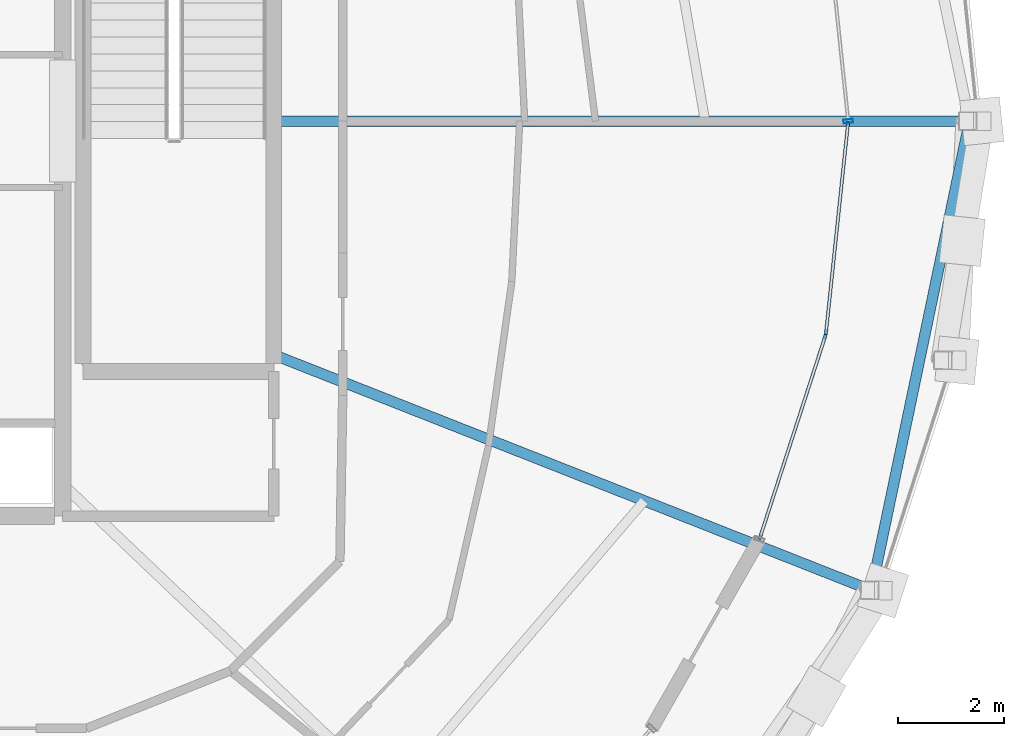
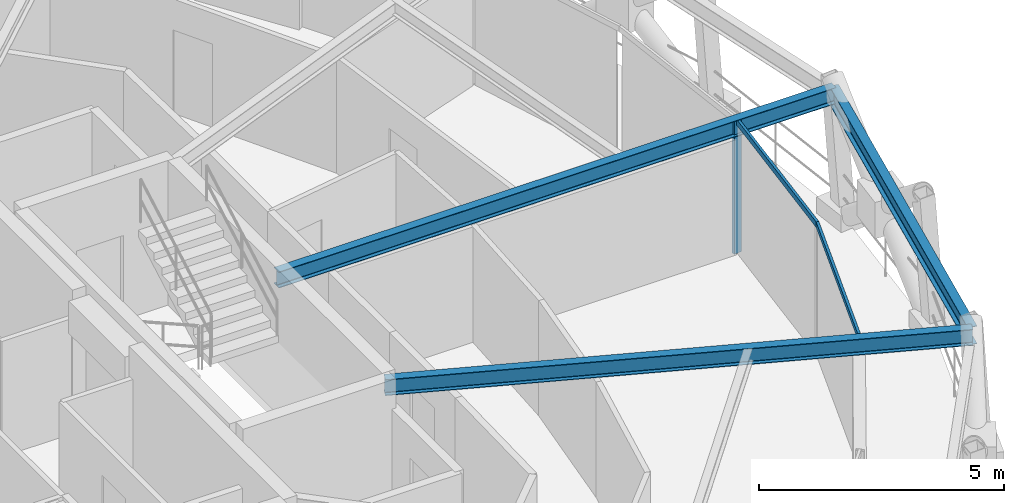
# One storey, part 6 of 17: 3 beams, 3 members, 1 element without a shape of its own.
"""IFC4 building model written with IfcOpenShell, lengths in metres."""

from ifc_helpers import new_model, si_unit, direction, frame, origin, origin_2d, place, context, subcontext, project, spatial, hollow_rectangle, i_section, extrude, material, layer, layer_set, material_profile, profile_set, type_object, element, aggregate, save


model = new_model("IFC4")

# Units and contexts
model_context = context("Model", 3, precision=1e-05, world=origin(), true_north=direction((0.0, 1.0)))
body_context = subcontext(model_context, "Body", "Model", "MODEL_VIEW")
ifc_project = project(units=[si_unit("LENGTHUNIT", "METRE"), si_unit("AREAUNIT", "SQUARE_METRE"), si_unit("VOLUMEUNIT", "CUBIC_METRE"), si_unit("PLANEANGLEUNIT", "RADIAN"), si_unit("MASSUNIT", "GRAM", prefix="KILO")], contexts=[model_context])

# Site, building, storey
site_placement = place(None, origin())
site = spatial("IfcSite", under=ifc_project, at=site_placement, CompositionType="ELEMENT")
building_placement = place(site_placement, origin())
building = spatial("IfcBuilding", under=site, at=building_placement, Name="Veldorina Hangang Commons", CompositionType="ELEMENT")
storey_placement = place(building_placement, frame((0.0, 0.0, 229.199951171875)))
storey = spatial("IfcBuildingStorey", under=building, at=storey_placement, Name="L59", CompositionType="ELEMENT", Elevation=229.199951171875)

# Beams
ifc_material_1 = material(Name="Steel SM355-TMC", Category="steel")
ifc_material_profile_1 = material_profile(ifc_material_1, i_section(OverallWidth=0.199951171875, OverallDepth=0.39990234375, WebThickness=0.008056640625, FlangeThickness=0.012939453125, FilletRadius=0.012939453125, at=origin_2d()), Name="H-400x200x8x13")
ifc_profile_set_1 = profile_set([ifc_material_profile_1], Name="Steel SM355-TMC")
beam_type_1 = type_object("IfcBeamType", Name="BM-FG400", PredefinedType="BEAM", material=ifc_profile_set_1)
beam_1_placement = place(storey_placement, frame((43.179931640625, 24.0, 3.16015625), z_axis=(1.0, 0.0, 0.0), x_axis=(0.0, 1.0, 0.0)))
element("IfcBeam", 1, at=beam_1_placement, inside=storey, type_object=beam_type_1, Name="L59 radial floor girder 01", PredefinedType="BEAM", context=body_context, shape_type="SweptSolid", body=[
    extrude(i_section(OverallWidth=0.199951171875, OverallDepth=0.39990234375, WebThickness=0.008056640625, FlangeThickness=0.012939453125, FilletRadius=0.012939453125, at=origin_2d()), origin(), (0.0, 0.0, 1.0), 13.12060546875),
])
beam_2_placement = place(storey_placement, frame((43.179931640625, 19.593994140625, 3.16015625), z_axis=(0.930361735487, -0.366642934121, 0.0), x_axis=(0.366642934121, 0.930361735487, 0.0)))
element("IfcBeam", 2, at=beam_2_placement, inside=storey, type_object=beam_type_1, Name="L59 radial floor girder 16", PredefinedType="BEAM", context=body_context, shape_type="SweptSolid", body=[
    extrude(i_section(OverallWidth=0.199951171875, OverallDepth=0.39990234375, WebThickness=0.008056640625, FlangeThickness=0.012939453125, FilletRadius=0.012939453125, at=origin_2d()), origin(), (0.0, 0.0, 1.0), 12.1142578125),
])
ifc_material_profile_2 = material_profile(ifc_material_1, i_section(OverallWidth=0.199951171875, OverallDepth=0.449951171875, WebThickness=0.009033203125, FlangeThickness=0.013916015625, FilletRadius=0.01611328125, at=origin_2d()), Name="H-450x200x9x14")
ifc_profile_set_2 = profile_set([ifc_material_profile_2], Name="Steel SM355-TMC")
beam_type_2 = type_object("IfcBeamType", Name="BM-RB450", PredefinedType="BEAM", material=ifc_profile_set_2)
beam_3_placement = place(storey_placement, frame((54.45068359375, 15.15234375, 3.135009765625), z_axis=(0.204653130845, 0.978834560094, 0.0), x_axis=(-0.978834560094, 0.204653130845, 0.0)))
element("IfcBeam", 3, at=beam_3_placement, inside=storey, type_object=beam_type_2, Name="L59 perimeter hoop ring beam 30", PredefinedType="BEAM", context=body_context, shape_type="SweptSolid", body=[
    extrude(i_section(OverallWidth=0.199951171875, OverallDepth=0.449951171875, WebThickness=0.009033203125, FlangeThickness=0.013916015625, FilletRadius=0.01611328125, at=origin_2d()), origin(), (0.0, 0.0, 1.0), 9.0390625),
])

# Curtain wall, members
ifc_material_2 = material(Name="Glass Low-E Selective", Category="glass")
ifc_layer = layer(ifc_material_2, 0.179931640625)
ifc_layer_set = layer_set([ifc_layer], Name="Glass Low-E Selective")
curtain_wall_type = type_object("IfcCurtainWallType", Name="CW-SYS-Z3", PredefinedType="NOTDEFINED", material=ifc_layer_set)
curtain_wall_placement = place(storey_placement, origin())
curtain_wall = element("IfcCurtainWall", 4, at=curtain_wall_placement, inside=storey, type_object=curtain_wall_type, Name="L59 unitised curtain wall CW-L59-R2", PredefinedType="NOTDEFINED")
ifc_material_3 = material(Name="Aluminium Anodized AA6063-T6", Category="aluminium")
ifc_material_profile_3 = material_profile(ifc_material_3, hollow_rectangle(XDim=0.070068359375, YDim=0.179931640625, WallThickness=0.00390625, at=origin_2d()), Name="ALU-RHS-180x70x4")
ifc_profile_set_3 = profile_set([ifc_material_profile_3], Name="Aluminium Anodized AA6063-T6")
member_type_1 = type_object("IfcMemberType", Name="CW-MUL-180", PredefinedType="MULLION", material=ifc_profile_set_3)
member_1_placement = place(storey_placement, frame((54.013916015625, 24.0, 0.0), z_axis=(0.0, 0.0, 1.0), x_axis=(-0.104615251277, 0.994512769752, 0.0)))
member_1 = element("IfcMember", 5, at=member_1_placement, type_object=member_type_1, Name="CW-L59-R2 vertical mullion 2", PredefinedType="MULLION", context=body_context, shape_type="SweptSolid", body=[
    extrude(hollow_rectangle(XDim=0.070068359375, YDim=0.179931640625, WallThickness=0.00390625, at=origin_2d()), origin(), (0.0, 0.0, 1.0), 3.320068359375),
])
ifc_material_profile_4 = material_profile(ifc_material_3, hollow_rectangle(XDim=0.06005859375, YDim=0.139892578125, WallThickness=0.00341796875, at=origin_2d()), Name="ALU-RHS-140x60x3.5")
ifc_profile_set_4 = profile_set([ifc_material_profile_4], Name="Aluminium Anodized AA6063-T6")
member_type_2 = type_object("IfcMemberType", Name="CW-TRN-140", PredefinedType="USERDEFINED", material=ifc_profile_set_4)
member_2_placement = place(storey_placement, frame((52.33837890625, 16.11279296875, 3.280029296875), z_axis=(0.308232909187, 0.951310923775, 0.0), x_axis=(-0.951310923775, 0.308232909187, 0.0)))
member_2 = element("IfcMember", 6, at=member_2_placement, type_object=member_type_2, Name="CW-L59-R2 facet 1 transom 1", ObjectType="TRANSOM", PredefinedType="USERDEFINED", context=body_context, shape_type="SweptSolid", body=[
    extrude(hollow_rectangle(XDim=0.06005859375, YDim=0.139892578125, WallThickness=0.00341796875, at=origin_2d()), origin(), (0.0, 0.0, 1.0), 4.064208984375),
])
member_3_placement = place(storey_placement, frame((53.591064453125, 19.97900390625, 3.280029296875), z_axis=(0.104584199982, 0.994516035624, 0.0), x_axis=(-0.994516035624, 0.104584199982, 0.0)))
member_3 = element("IfcMember", 7, at=member_3_placement, type_object=member_type_2, Name="CW-L59-R2 facet 2 transom 1", ObjectType="TRANSOM", PredefinedType="USERDEFINED", context=body_context, shape_type="SweptSolid", body=[
    extrude(hollow_rectangle(XDim=0.06005859375, YDim=0.139892578125, WallThickness=0.00341796875, at=origin_2d()), origin(), (0.0, 0.0, 1.0), 4.043212890625),
])
aggregate(curtain_wall, [member_1, member_2, member_3])

save(model, "model.ifc")
